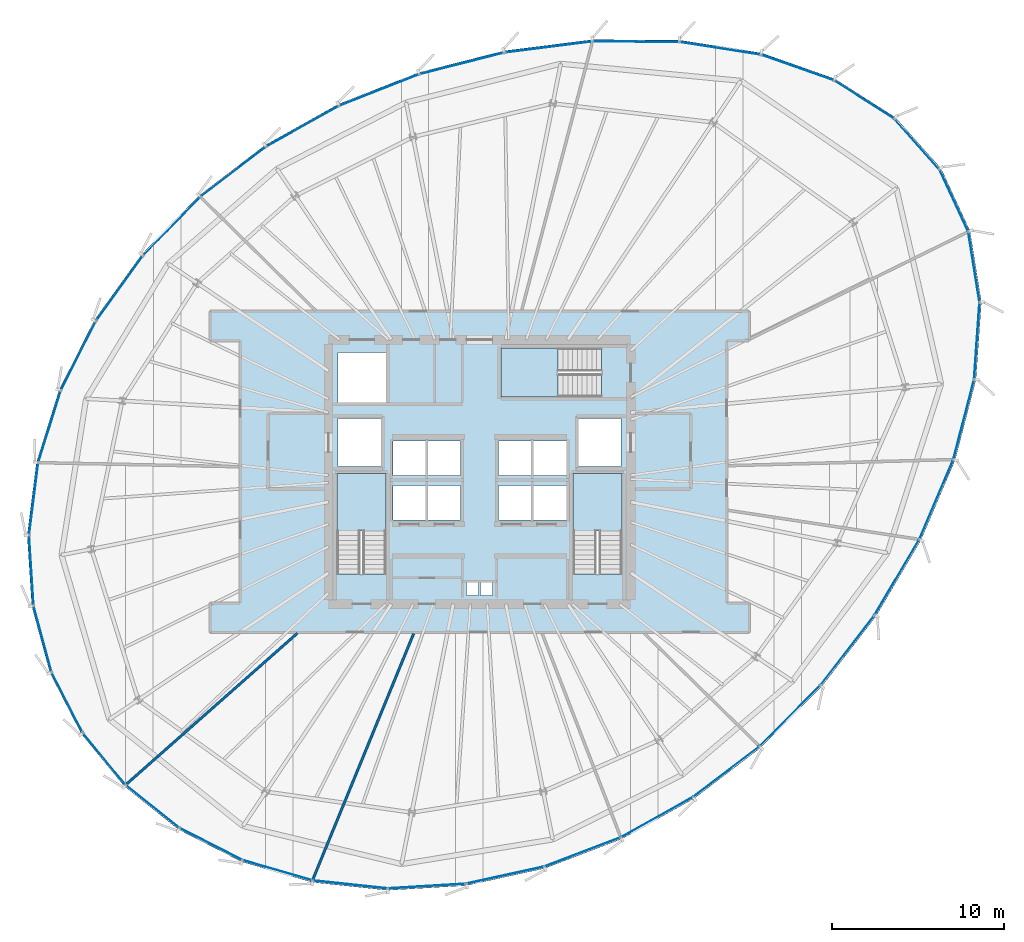
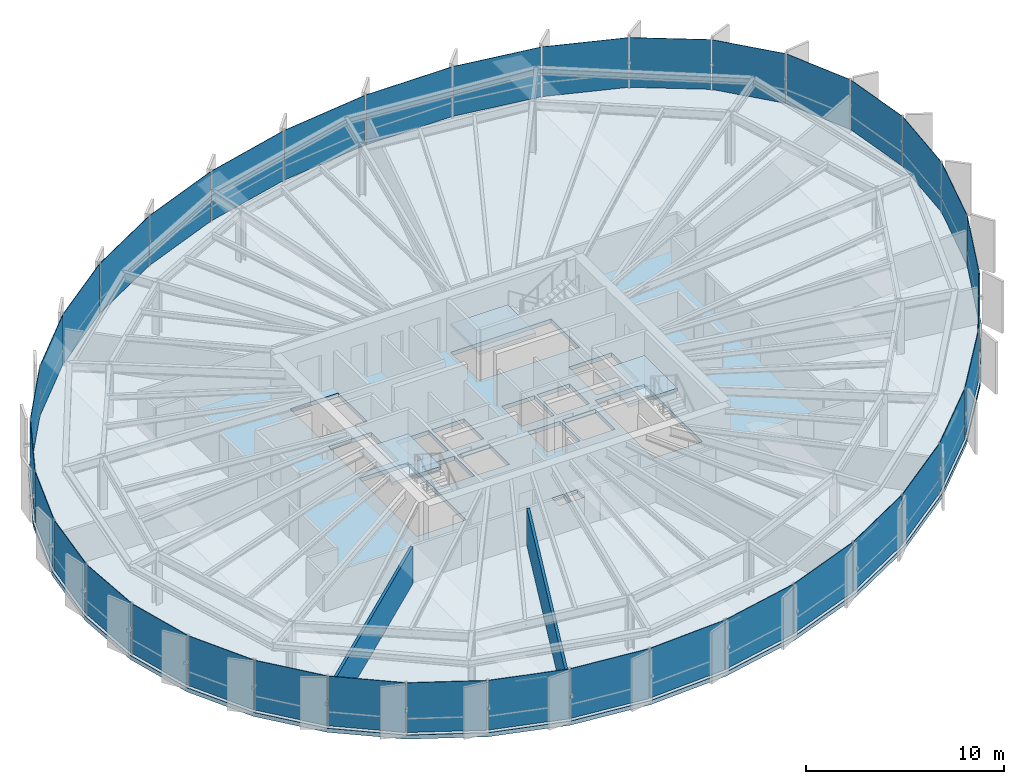
# One storey, part 28 of 35: 36 plates, 4 slabs, 2 walls, 9 elements without a shape of their own.
"""IFC4 building model written with IfcOpenShell, lengths in metres."""

from ifc_helpers import new_model, si_unit, direction, frame, frame_2d, origin, origin_2d, place, context, subcontext, project, spatial, polyline, rectangle, outline, extrude, source, transform, mapped, material, layer, layer_set, type_object, element, aggregate, save


model = new_model("IFC4")

# Units and contexts
model_context = context("Model", 3, precision=1e-05, world=origin(), true_north=direction((0.0, 1.0)))
body_context = subcontext(model_context, "Body", "Model", "MODEL_VIEW")
ifc_project = project(units=[si_unit("LENGTHUNIT", "METRE"), si_unit("AREAUNIT", "SQUARE_METRE"), si_unit("VOLUMEUNIT", "CUBIC_METRE"), si_unit("PLANEANGLEUNIT", "RADIAN"), si_unit("MASSUNIT", "GRAM", prefix="KILO"), si_unit("THERMODYNAMICTEMPERATUREUNIT", "KELVIN")], contexts=[model_context])

# Site, building, storey
site_placement = place(None, origin())
site = spatial("IfcSite", under=ifc_project, at=site_placement, CompositionType="ELEMENT")
building_placement = place(site_placement, origin())
building = spatial("IfcBuilding", under=site, at=building_placement, Name="Kethvar Cultural Tower", CompositionType="ELEMENT")
storey_placement = place(building_placement, frame((0.0, 0.0, 167.85009765625)))
storey = spatial("IfcBuildingStorey", under=building, at=storey_placement, Name="L43", CompositionType="ELEMENT", Elevation=167.85009765625)

# Stair, slab
ifc_material_1 = material(Name="Concrete C40/50", Category="concrete")
stair_type = type_object("IfcStairType", Name="ST-DOGLEG-135", PredefinedType="HALF_TURN_STAIR", material=ifc_material_1)
stair_1_placement = place(storey_placement, origin())
stair_1 = element("IfcStair", 1, at=stair_1_placement, inside=storey, type_object=stair_type, Name="L43 Core Exit Stair 1", PredefinedType="HALF_TURN_STAIR")
ifc_layer_1 = layer(ifc_material_1, 0.199951171875, Name="Concrete C40/50", Category="concrete")
ifc_layer_set_1 = layer_set([ifc_layer_1], Name="Concrete C40/50 (200 mm)")
slab_type_1 = type_object("IfcSlabType", Name="SL-STAIR-LANDING-200", PredefinedType="LANDING", material=ifc_layer_set_1)
slab_1_placement = place(storey_placement, frame((0.0, 0.0, 1.574951171875)))
slab_1 = element("IfcSlab", 2, at=slab_1_placement, type_object=slab_type_1, Name="ST-01 landing 1", PredefinedType="LANDING", context=body_context, shape_type="SweptSolid", body=[
    extrude(outline(polyline([(41.35009765625, 24.3701171875), (41.35009765625, 27.699951171875), (38.489990234375, 27.699951171875), (38.489990234375, 24.3701171875), (41.35009765625, 24.3701171875)])), origin(), (0.0, 0.0, 1.0), 0.199951171875),
])
aggregate(stair_1, [slab_1])

stair_2_placement = place(storey_placement, origin())
stair_2 = element("IfcStair", 3, at=stair_2_placement, inside=storey, type_object=stair_type, Name="L43 Core Exit Stair 2", PredefinedType="HALF_TURN_STAIR")
slab_2_placement = place(storey_placement, frame((0.0, 0.0, 1.574951171875)))
slab_2 = element("IfcSlab", 4, at=slab_2_placement, type_object=slab_type_1, Name="ST-02 landing 1", PredefinedType="LANDING", context=body_context, shape_type="SweptSolid", body=[
    extrude(outline(polyline([(55.110107421875, 24.3701171875), (55.110107421875, 27.699951171875), (52.25, 27.699951171875), (52.25, 24.3701171875), (55.110107421875, 24.3701171875)])), origin(), (0.0, 0.0, 1.0), 0.199951171875),
])
aggregate(stair_2, [slab_2])

stair_3_placement = place(storey_placement, origin())
stair_3 = element("IfcStair", 5, at=stair_3_placement, inside=storey, type_object=stair_type, Name="L43 Core Exit Stair 3", PredefinedType="HALF_TURN_STAIR")
slab_3_placement = place(storey_placement, frame((0.0, 0.0, 1.574951171875)))
slab_3 = element("IfcSlab", 6, at=slab_3_placement, type_object=slab_type_1, Name="ST-03 landing 1", PredefinedType="LANDING", context=body_context, shape_type="SweptSolid", body=[
    extrude(outline(polyline([(51.3798828125, 35.010009765625), (48.050048828125, 35.010009765625), (48.050048828125, 32.14990234375), (51.3798828125, 32.14990234375), (51.3798828125, 35.010009765625)])), origin(), (0.0, 0.0, 1.0), 0.199951171875),
])
aggregate(stair_3, [slab_3])

# Slab
ifc_layer_2 = layer(ifc_material_1, 0.25, Name="Concrete C40/50", Category="concrete")
ifc_layer_set_2 = layer_set([ifc_layer_2], Name="Concrete C40/50 (250 mm)")
slab_type_2 = type_object("IfcSlabType", Name="SL-TOW-250", PredefinedType="FLOOR", material=ifc_layer_set_2)
slab_4_placement = place(storey_placement, frame((0.0, 0.0, -0.25)))
element("IfcSlab", 7, at=slab_4_placement, inside=storey, type_object=slab_type_2, Name="L43 Structural Floor Slab", PredefinedType="FLOOR", context=body_context, shape_type="SweptSolid", body=[
    extrude(outline(polyline([(73.690673828125, 45.4638671875), (71.029296875, 48.44580078125), (67.48583984375, 50.704833984375), (63.219970703125, 52.2060546875), (58.436279296875, 52.953369140625), (53.36376953125, 52.97900390625), (48.231201171875, 52.3310546875), (43.24462890625, 51.062255859375), (38.56689453125, 49.218505859375), (34.300048828125, 46.82958984375), (30.458984375, 43.892578125), (27.114501953125, 40.466796875), (24.3681640625, 36.656005859375), (22.30322265625, 32.576171875), (20.98291015625, 28.351318359375), (20.447021484375, 24.109619140625), (20.711669921875, 19.97998046875), (21.76904296875, 16.087890625), (23.5869140625, 12.552001953125), (26.110107421875, 9.47900390625), (29.26220703125, 6.962890625), (32.947021484375, 5.080078125), (37.052490234375, 3.88720703125), (41.45458984375, 3.421142578125), (46.018798828125, 3.69580078125), (50.60693359375, 4.702880859375), (55.0791015625, 6.411865234375), (59.300048828125, 8.7705078125), (63.187255859375, 11.73779296875), (66.737060546875, 15.298583984375), (69.882080078125, 19.37109375), (72.514892578125, 23.82421875), (74.506103515625, 28.489501953125), (75.719970703125, 33.176513671875), (76.036376953125, 37.68798828125), (75.37060546875, 41.8369140625), (73.690673828125, 45.4638671875)]), holes=[polyline([(38.489990234375, 21.85009765625), (38.489990234375, 27.699951171875), (41.35009765625, 27.699951171875), (41.35009765625, 21.85009765625), (38.489990234375, 21.85009765625)]), polyline([(52.25, 21.85009765625), (52.25, 27.699951171875), (55.110107421875, 27.699951171875), (55.110107421875, 21.85009765625), (52.25, 21.85009765625)]), polyline([(53.89990234375, 32.14990234375), (48.050048828125, 32.14990234375), (48.050048828125, 35.010009765625), (53.89990234375, 35.010009765625), (53.89990234375, 32.14990234375)]), polyline([(41.75, 27.0), (43.64990234375, 27.0), (43.64990234375, 25.0), (41.75, 25.0), (41.75, 27.0)]), polyline([(43.800048828125, 27.0), (45.699951171875, 27.0), (45.699951171875, 25.0), (43.800048828125, 25.0), (43.800048828125, 27.0)]), polyline([(47.89990234375, 27.0), (49.800048828125, 27.0), (49.800048828125, 25.0), (47.89990234375, 25.0), (47.89990234375, 27.0)]), polyline([(49.949951171875, 27.0), (51.85009765625, 27.0), (51.85009765625, 25.0), (49.949951171875, 25.0), (49.949951171875, 27.0)]), polyline([(41.75, 29.60009765625), (43.64990234375, 29.60009765625), (43.64990234375, 27.60009765625), (41.75, 27.60009765625), (41.75, 29.60009765625)]), polyline([(43.800048828125, 29.60009765625), (45.699951171875, 29.60009765625), (45.699951171875, 27.60009765625), (43.800048828125, 27.60009765625), (43.800048828125, 29.60009765625)]), polyline([(47.89990234375, 29.60009765625), (49.800048828125, 29.60009765625), (49.800048828125, 27.60009765625), (47.89990234375, 27.60009765625), (47.89990234375, 29.60009765625)]), polyline([(49.949951171875, 29.60009765625), (51.85009765625, 29.60009765625), (51.85009765625, 27.60009765625), (49.949951171875, 27.60009765625), (49.949951171875, 29.60009765625)]), polyline([(38.550048828125, 30.89990234375), (41.050048828125, 30.89990234375), (41.050048828125, 28.10009765625), (38.550048828125, 28.10009765625), (38.550048828125, 30.89990234375)]), polyline([(52.550048828125, 30.89990234375), (55.050048828125, 30.89990234375), (55.050048828125, 28.10009765625), (52.550048828125, 28.10009765625), (52.550048828125, 30.89990234375)]), polyline([(38.550048828125, 34.75), (41.35009765625, 34.75), (41.35009765625, 31.85009765625), (38.550048828125, 31.85009765625), (38.550048828125, 34.75)]), polyline([(46.050048828125, 21.35009765625), (46.75, 21.35009765625), (46.75, 20.60009765625), (46.050048828125, 20.60009765625), (46.050048828125, 21.35009765625)]), polyline([(46.85009765625, 21.35009765625), (47.550048828125, 21.35009765625), (47.550048828125, 20.60009765625), (46.85009765625, 20.60009765625), (46.85009765625, 21.35009765625)])]), origin(), (0.0, 0.0, 1.0), 0.25),
])

# Curtain wall, plates
ifc_material_2 = material(Name="Aluminium 6063-T6", Category="aluminium")
ifc_layer_3 = layer(ifc_material_2, 0.179931640625, Name="Aluminium 6063-T6", Category="aluminium")
ifc_layer_set_3 = layer_set([ifc_layer_3], Name="Aluminium 6063-T6 (180 mm)")
curtain_wall_type = type_object("IfcCurtainWallType", Name="CW-SYS-04-Z34", PredefinedType="NOTDEFINED", material=ifc_layer_set_3)
curtain_wall_1_placement = place(storey_placement, origin())
curtain_wall_1 = element("IfcCurtainWall", 8, at=curtain_wall_1_placement, inside=storey, type_object=curtain_wall_type, Name="L43 Curtain Wall Run 01", PredefinedType="NOTDEFINED")
ifc_material_3 = material(Name="Insulated Low-E Solar Glass", Category="glass")
ifc_layer_4 = layer(ifc_material_3, 0.030029296875, Name="Insulated Low-E Solar Glass", Category="glass")
ifc_layer_set_4 = layer_set([ifc_layer_4], Name="Insulated Low-E Solar Glass (30 mm)")
plate_type = type_object("IfcPlateType", Name="CW-SYS-04-Z34-PNL", PredefinedType="CURTAIN_PANEL", material=ifc_layer_set_4)
shared_shape_1 = source(origin(), body_context, "Body", "SweptSolid", [
    extrude(rectangle(XDim=3.910400390625, YDim=0.030029296875, at=origin_2d()), origin(), (0.0, 0.0, 1.0), 3.06005859375),
])
plate_1_placement = place(storey_placement, frame((72.27783203125, 46.881591796875, 0.08984375), z_axis=(0.0, 0.0, 1.0), x_axis=(-0.665842601615, 0.746092239522, 0.0)))
plate_1 = element("IfcPlate", 9, at=plate_1_placement, type_object=plate_type, Name="CW-L43-R01 Vision Glazing Panel 1", PredefinedType="CURTAIN_PANEL", context=body_context, shape_type="MappedRepresentation", body=[
    mapped(shared_shape_1, transform((0.0, 0.0, 0.0), scale=1.0)),
])
shared_shape_2 = source(origin(), body_context, "Body", "SweptSolid", [
    extrude(rectangle(XDim=4.11572265625, YDim=0.030029296875, at=origin_2d()), origin(), (0.0, 0.0, 1.0), 3.06005859375),
])
plate_2_placement = place(storey_placement, frame((69.198486328125, 49.482666015625, 0.08984375), z_axis=(0.0, 0.0, 1.0), x_axis=(-0.843231988688, 0.537549823972, 0.0)))
plate_2 = element("IfcPlate", 10, at=plate_2_placement, type_object=plate_type, Name="CW-L43-R01 Vision Glazing Panel 2", PredefinedType="CURTAIN_PANEL", context=body_context, shape_type="MappedRepresentation", body=[
    mapped(shared_shape_2, transform((0.0, 0.0, 0.0), scale=1.0)),
])

# Curtain wall, plate
curtain_wall_2_placement = place(storey_placement, origin())
curtain_wall_2 = element("IfcCurtainWall", 11, at=curtain_wall_2_placement, inside=storey, type_object=curtain_wall_type, Name="L43 Curtain Wall Run 06", PredefinedType="NOTDEFINED")
plate_3_placement = place(storey_placement, frame((75.5947265625, 39.7451171875, 0.08984375), z_axis=(0.0, 0.0, 1.0), x_axis=(-0.158433799036, 0.987369602187, 0.0)))
plate_3 = element("IfcPlate", 12, at=plate_3_placement, type_object=plate_type, Name="CW-L43-R06 Vision Glazing Panel 5", PredefinedType="CURTAIN_PANEL", context=body_context, shape_type="MappedRepresentation", body=[
    mapped(shared_shape_2, transform((0.0, 0.0, 0.0), scale=1.0)),
])

# Plate
shared_shape_3 = source(origin(), body_context, "Body", "SweptSolid", [
    extrude(rectangle(XDim=4.43603515625, YDim=0.030029296875, at=origin_2d()), origin(), (0.0, 0.0, 1.0), 3.06005859375),
])
plate_4_placement = place(storey_placement, frame((65.31640625, 51.351806640625, 0.08984375), z_axis=(0.0, 0.0, 1.0), x_axis=(-0.943286410924, 0.331980040013, 0.0)))
plate_4 = element("IfcPlate", 13, at=plate_4_placement, type_object=plate_type, Name="CW-L43-R01 Vision Glazing Panel 3", PredefinedType="CURTAIN_PANEL", context=body_context, shape_type="MappedRepresentation", body=[
    mapped(shared_shape_3, transform((0.0, 0.0, 0.0), scale=1.0)),
])

plate_5_placement = place(storey_placement, frame((75.768310546875, 35.43994140625, 0.08984375), z_axis=(0.0, 0.0, 1.0), x_axis=(0.069965401539, 0.997549418619, 0.0)))
plate_5 = element("IfcPlate", 14, at=plate_5_placement, type_object=plate_type, Name="CW-L43-R06 Vision Glazing Panel 4", PredefinedType="CURTAIN_PANEL", context=body_context, shape_type="MappedRepresentation", body=[
    mapped(shared_shape_3, transform((0.0, 0.0, 0.0), scale=1.0)),
])

shared_shape_4 = source(origin(), body_context, "Body", "SweptSolid", [
    extrude(rectangle(XDim=4.75537109375, YDim=0.030029296875, at=origin_2d()), origin(), (0.0, 0.0, 1.0), 3.06005859375),
])
plate_6_placement = place(storey_placement, frame((60.81103515625, 52.47119140625, 0.08984375), z_axis=(0.0, 0.0, 1.0), x_axis=(-0.988016503727, 0.154348269713, 0.0)))
plate_6 = element("IfcPlate", 15, at=plate_6_placement, type_object=plate_type, Name="CW-L43-R01 Vision Glazing Panel 4", PredefinedType="CURTAIN_PANEL", context=body_context, shape_type="MappedRepresentation", body=[
    mapped(shared_shape_4, transform((0.0, 0.0, 0.0), scale=1.0)),
])

plate_7_placement = place(storey_placement, frame((75.006591796875, 30.860595703125, 0.08984375), z_axis=(0.0, 0.0, 1.0), x_axis=(0.250717936073, 0.968060182288, 0.0)))
plate_7 = element("IfcPlate", 16, at=plate_7_placement, type_object=plate_type, Name="CW-L43-R06 Vision Glazing Panel 3", PredefinedType="CURTAIN_PANEL", context=body_context, shape_type="MappedRepresentation", body=[
    mapped(shared_shape_4, transform((0.0, 0.0, 0.0), scale=1.0)),
])

shared_shape_5 = source(origin(), body_context, "Body", "SweptSolid", [
    extrude(rectangle(XDim=4.986083984375, YDim=0.030029296875, at=origin_2d()), origin(), (0.0, 0.0, 1.0), 3.06005859375),
])
plate_8_placement = place(storey_placement, frame((55.8994140625, 52.856201171875, 0.08984375), z_axis=(0.0, 0.0, 1.0), x_axis=(-0.999987279051, 0.00504398015, 0.0)))
plate_8 = element("IfcPlate", 17, at=plate_8_placement, type_object=plate_type, Name="CW-L43-R01 Vision Glazing Panel 5", PredefinedType="CURTAIN_PANEL", context=body_context, shape_type="MappedRepresentation", body=[
    mapped(shared_shape_5, transform((0.0, 0.0, 0.0), scale=1.0)),
])

plate_9_placement = place(storey_placement, frame((73.4091796875, 26.199951171875, 0.08984375), z_axis=(0.0, 0.0, 1.0), x_axis=(0.392513702422, 0.919746157051, 0.0)))
plate_9 = element("IfcPlate", 18, at=plate_9_placement, type_object=plate_type, Name="CW-L43-R06 Vision Glazing Panel 2", PredefinedType="CURTAIN_PANEL", context=body_context, shape_type="MappedRepresentation", body=[
    mapped(shared_shape_5, transform((0.0, 0.0, 0.0), scale=1.0)),
])

shared_shape_6 = source(origin(), body_context, "Body", "SweptSolid", [
    extrude(rectangle(XDim=5.0869140625, YDim=0.030029296875, at=origin_2d()), origin(), (0.0, 0.0, 1.0), 3.06005859375),
])
plate_10_placement = place(storey_placement, frame((50.811279296875, 52.5458984375, 0.08984375), z_axis=(0.0, 0.0, 1.0), x_axis=(-0.992125634925, -0.125246654747, 0.0)))
plate_10 = element("IfcPlate", 19, at=plate_10_placement, type_object=plate_type, Name="CW-L43-R01 Vision Glazing Panel 6", PredefinedType="CURTAIN_PANEL", context=body_context, shape_type="MappedRepresentation", body=[
    mapped(shared_shape_6, transform((0.0, 0.0, 0.0), scale=1.0)),
])

aggregate(curtain_wall_1, [plate_1, plate_2, plate_4, plate_6, plate_8, plate_10])

# Curtain wall, plate
curtain_wall_3_placement = place(storey_placement, origin())
curtain_wall_3 = element("IfcCurtainWall", 20, at=curtain_wall_3_placement, inside=storey, type_object=curtain_wall_type, Name="L43 Curtain Wall Run 02", PredefinedType="NOTDEFINED")
shared_shape_7 = source(origin(), body_context, "Body", "SweptSolid", [
    extrude(rectangle(XDim=5.05908203125, YDim=0.030029296875, at=origin_2d()), origin(), (0.0, 0.0, 1.0), 3.06005859375),
])
plate_11_placement = place(storey_placement, frame((45.76513671875, 51.590087890625, 0.08984375), z_axis=(0.0, 0.0, 1.0), x_axis=(-0.969119109097, -0.246593090705, 0.0)))
plate_11 = element("IfcPlate", 21, at=plate_11_placement, type_object=plate_type, Name="CW-L43-R02 Vision Glazing Panel 1", PredefinedType="CURTAIN_PANEL", context=body_context, shape_type="MappedRepresentation", body=[
    mapped(shared_shape_7, transform((0.0, 0.0, 0.0), scale=1.0)),
])

curtain_wall_4_placement = place(storey_placement, origin())
curtain_wall_4 = element("IfcCurtainWall", 22, at=curtain_wall_4_placement, inside=storey, type_object=curtain_wall_type, Name="L43 Curtain Wall Run 05", PredefinedType="NOTDEFINED")
plate_12_placement = place(storey_placement, frame((68.222412109375, 17.402099609375, 0.08984375), z_axis=(0.0, 0.0, 1.0), x_axis=(0.611195559608, 0.791479619394, 0.0)))
plate_12 = element("IfcPlate", 23, at=plate_12_placement, type_object=plate_type, Name="CW-L43-R05 Vision Glazing Panel 6", PredefinedType="CURTAIN_PANEL", context=body_context, shape_type="MappedRepresentation", body=[
    mapped(shared_shape_7, transform((0.0, 0.0, 0.0), scale=1.0)),
])

# Plate
shared_shape_8 = source(origin(), body_context, "Body", "SweptSolid", [
    extrude(rectangle(XDim=4.94140625, YDim=0.030029296875, at=origin_2d()), origin(), (0.0, 0.0, 1.0), 3.06005859375),
])
plate_13_placement = place(storey_placement, frame((40.9462890625, 50.0380859375, 0.08984375), z_axis=(0.0, 0.0, 1.0), x_axis=(-0.930340787739, -0.366696084884, 0.0)))
plate_13 = element("IfcPlate", 24, at=plate_13_placement, type_object=plate_type, Name="CW-L43-R02 Vision Glazing Panel 2", PredefinedType="CURTAIN_PANEL", context=body_context, shape_type="MappedRepresentation", body=[
    mapped(shared_shape_8, transform((0.0, 0.0, 0.0), scale=1.0)),
])

shared_shape_9 = source(origin(), body_context, "Body", "SweptSolid", [
    extrude(rectangle(XDim=4.803955078125, YDim=0.030029296875, at=origin_2d()), origin(), (0.0, 0.0, 1.0), 3.06005859375),
])
plate_14_placement = place(storey_placement, frame((36.4873046875, 47.927978515625, 0.08984375), z_axis=(0.0, 0.0, 1.0), x_axis=(-0.872538643998, -0.488545099996, 0.0)))
plate_14 = element("IfcPlate", 25, at=plate_14_placement, type_object=plate_type, Name="CW-L43-R02 Vision Glazing Panel 3", PredefinedType="CURTAIN_PANEL", context=body_context, shape_type="MappedRepresentation", body=[
    mapped(shared_shape_9, transform((0.0, 0.0, 0.0), scale=1.0)),
])

plate_15_placement = place(storey_placement, frame((61.177001953125, 10.341552734375, 0.08984375), z_axis=(0.0, 0.0, 1.0), x_axis=(0.794880817402, 0.606765594053, 0.0)))
plate_15 = element("IfcPlate", 26, at=plate_15_placement, type_object=plate_type, Name="CW-L43-R05 Vision Glazing Panel 4", PredefinedType="CURTAIN_PANEL", context=body_context, shape_type="MappedRepresentation", body=[
    mapped(shared_shape_9, transform((0.0, 0.0, 0.0), scale=1.0)),
])

shared_shape_10 = source(origin(), body_context, "Body", "SweptSolid", [
    extrude(rectangle(XDim=4.748779296875, YDim=0.030029296875, at=origin_2d()), origin(), (0.0, 0.0, 1.0), 3.06005859375),
])
plate_16_placement = place(storey_placement, frame((32.4462890625, 45.273681640625, 0.08984375), z_axis=(0.0, 0.0, 1.0), x_axis=(-0.794393418635, -0.607403569655, 0.0)))
plate_16 = element("IfcPlate", 27, at=plate_16_placement, type_object=plate_type, Name="CW-L43-R02 Vision Glazing Panel 4", PredefinedType="CURTAIN_PANEL", context=body_context, shape_type="MappedRepresentation", body=[
    mapped(shared_shape_10, transform((0.0, 0.0, 0.0), scale=1.0)),
])

plate_17_placement = place(storey_placement, frame((57.135986328125, 7.68701171875, 0.08984375), z_axis=(0.0, 0.0, 1.0), x_axis=(0.872939106253, 0.487829188113, 0.0)))
plate_17 = element("IfcPlate", 28, at=plate_17_placement, type_object=plate_type, Name="CW-L43-R05 Vision Glazing Panel 3", PredefinedType="CURTAIN_PANEL", context=body_context, shape_type="MappedRepresentation", body=[
    mapped(shared_shape_10, transform((0.0, 0.0, 0.0), scale=1.0)),
])

shared_shape_11 = source(origin(), body_context, "Body", "SweptSolid", [
    extrude(rectangle(XDim=4.701416015625, YDim=0.030029296875, at=origin_2d()), origin(), (0.0, 0.0, 1.0), 3.06005859375),
])
plate_18_placement = place(storey_placement, frame((28.865478515625, 42.102783203125, 0.08984375), z_axis=(0.0, 0.0, 1.0), x_axis=(-0.6985526757, -0.715558634406, 0.0)))
plate_18 = element("IfcPlate", 29, at=plate_18_placement, type_object=plate_type, Name="CW-L43-R02 Vision Glazing Panel 5", PredefinedType="CURTAIN_PANEL", context=body_context, shape_type="MappedRepresentation", body=[
    mapped(shared_shape_11, transform((0.0, 0.0, 0.0), scale=1.0)),
])

shared_shape_12 = source(origin(), body_context, "Body", "SweptSolid", [
    extrude(rectangle(XDim=4.61083984375, YDim=0.030029296875, at=origin_2d()), origin(), (0.0, 0.0, 1.0), 3.06005859375),
])
plate_19_placement = place(storey_placement, frame((25.83056640625, 38.4970703125, 0.08984375), z_axis=(0.0, 0.0, 1.0), x_axis=(-0.584688683882, -0.811257753702, 0.0)))
plate_19 = element("IfcPlate", 30, at=plate_19_placement, type_object=plate_type, Name="CW-L43-R02 Vision Glazing Panel 6", PredefinedType="CURTAIN_PANEL", context=body_context, shape_type="MappedRepresentation", body=[
    mapped(shared_shape_12, transform((0.0, 0.0, 0.0), scale=1.0)),
])

aggregate(curtain_wall_3, [plate_11, plate_13, plate_14, plate_16, plate_18, plate_19])

plate_20_placement = place(storey_placement, frame((48.289306640625, 4.306884765625, 0.08984375), z_axis=(0.0, 0.0, 1.0), x_axis=(0.9767471756, 0.214394391152, 0.0)))
plate_20 = element("IfcPlate", 31, at=plate_20_placement, type_object=plate_type, Name="CW-L43-R05 Vision Glazing Panel 1", PredefinedType="CURTAIN_PANEL", context=body_context, shape_type="MappedRepresentation", body=[
    mapped(shared_shape_12, transform((0.0, 0.0, 0.0), scale=1.0)),
])

# Curtain wall, plate
curtain_wall_5_placement = place(storey_placement, origin())
curtain_wall_5 = element("IfcCurtainWall", 32, at=curtain_wall_5_placement, inside=storey, type_object=curtain_wall_type, Name="L43 Curtain Wall Run 03", PredefinedType="NOTDEFINED")
shared_shape_13 = source(origin(), body_context, "Body", "SweptSolid", [
    extrude(rectangle(XDim=4.486083984375, YDim=0.030029296875, at=origin_2d()), origin(), (0.0, 0.0, 1.0), 3.06005859375),
])
plate_21_placement = place(storey_placement, frame((23.433837890625, 34.56640625, 0.08984375), z_axis=(0.0, 0.0, 1.0), x_axis=(-0.451562864373, -0.892239306195, 0.0)))
plate_21 = element("IfcPlate", 33, at=plate_21_placement, type_object=plate_type, Name="CW-L43-R03 Vision Glazing Panel 1", PredefinedType="CURTAIN_PANEL", context=body_context, shape_type="MappedRepresentation", body=[
    mapped(shared_shape_13, transform((0.0, 0.0, 0.0), scale=1.0)),
])

curtain_wall_6_placement = place(storey_placement, origin())
curtain_wall_6 = element("IfcCurtainWall", 34, at=curtain_wall_6_placement, inside=storey, type_object=curtain_wall_type, Name="L43 Curtain Wall Run 04", PredefinedType="NOTDEFINED")
plate_22_placement = place(storey_placement, frame((43.72998046875, 3.66845703125, 0.08984375), z_axis=(0.0, 0.0, 1.0), x_axis=(0.998193989552, 0.060072949169, 0.0)))
plate_22 = element("IfcPlate", 35, at=plate_22_placement, type_object=plate_type, Name="CW-L43-R04 Vision Glazing Panel 6", PredefinedType="CURTAIN_PANEL", context=body_context, shape_type="MappedRepresentation", body=[
    mapped(shared_shape_13, transform((0.0, 0.0, 0.0), scale=1.0)),
])

# Plate
shared_shape_14 = source(origin(), body_context, "Body", "SweptSolid", [
    extrude(rectangle(XDim=4.340087890625, YDim=0.030029296875, at=origin_2d()), origin(), (0.0, 0.0, 1.0), 3.06005859375),
])
plate_23_placement = place(storey_placement, frame((21.748046875, 30.430908203125, 0.08984375), z_axis=(0.0, 0.0, 1.0), x_axis=(-0.2982912415, -0.954474900269, 0.0)))
plate_23 = element("IfcPlate", 36, at=plate_23_placement, type_object=plate_type, Name="CW-L43-R03 Vision Glazing Panel 2", PredefinedType="CURTAIN_PANEL", context=body_context, shape_type="MappedRepresentation", body=[
    mapped(shared_shape_14, transform((0.0, 0.0, 0.0), scale=1.0)),
])

plate_24_placement = place(storey_placement, frame((39.26513671875, 3.763671875, 0.08984375), z_axis=(0.0, 0.0, 1.0), x_axis=(0.994441330025, -0.105292170359, 0.0)))
plate_24 = element("IfcPlate", 37, at=plate_24_placement, type_object=plate_type, Name="CW-L43-R04 Vision Glazing Panel 5", PredefinedType="CURTAIN_PANEL", context=body_context, shape_type="MappedRepresentation", body=[
    mapped(shared_shape_14, transform((0.0, 0.0, 0.0), scale=1.0)),
])

shared_shape_15 = source(origin(), body_context, "Body", "SweptSolid", [
    extrude(rectangle(XDim=4.189208984375, YDim=0.030029296875, at=origin_2d()), origin(), (0.0, 0.0, 1.0), 3.06005859375),
])
plate_25_placement = place(storey_placement, frame((20.823974609375, 26.216552734375, 0.08984375), z_axis=(0.0, 0.0, 1.0), x_axis=(-0.125367864824, -0.992110325755, 0.0)))
plate_25 = element("IfcPlate", 38, at=plate_25_placement, type_object=plate_type, Name="CW-L43-R03 Vision Glazing Panel 3", PredefinedType="CURTAIN_PANEL", context=body_context, shape_type="MappedRepresentation", body=[
    mapped(shared_shape_15, transform((0.0, 0.0, 0.0), scale=1.0)),
])

shared_shape_16 = source(origin(), body_context, "Body", "SweptSolid", [
    extrude(rectangle(XDim=4.0517578125, YDim=0.030029296875, at=origin_2d()), origin(), (0.0, 0.0, 1.0), 3.06005859375),
])
plate_26_placement = place(storey_placement, frame((20.68896484375, 22.0517578125, 0.08984375), z_axis=(0.0, 0.0, 1.0), x_axis=(0.063974956995, -0.997951504271, 0.0)))
plate_26 = element("IfcPlate", 39, at=plate_26_placement, type_object=plate_type, Name="CW-L43-R03 Vision Glazing Panel 4", PredefinedType="CURTAIN_PANEL", context=body_context, shape_type="MappedRepresentation", body=[
    mapped(shared_shape_16, transform((0.0, 0.0, 0.0), scale=1.0)),
])

plate_27_placement = place(storey_placement, frame((31.154541015625, 6.119384765625, 0.08984375), z_axis=(0.0, 0.0, 1.0), x_axis=(0.890467090029, -0.455047647587, 0.0)))
plate_27 = element("IfcPlate", 40, at=plate_27_placement, type_object=plate_type, Name="CW-L43-R04 Vision Glazing Panel 3", PredefinedType="CURTAIN_PANEL", context=body_context, shape_type="MappedRepresentation", body=[
    mapped(shared_shape_16, transform((0.0, 0.0, 0.0), scale=1.0)),
])

shared_shape_17 = source(origin(), body_context, "Body", "SweptSolid", [
    extrude(rectangle(XDim=3.94677734375, YDim=0.030029296875, at=origin_2d()), origin(), (0.0, 0.0, 1.0), 3.06005859375),
])
plate_28_placement = place(storey_placement, frame((21.346435546875, 18.062744140625, 0.08984375), z_axis=(0.0, 0.0, 1.0), x_axis=(0.262189178641, -0.965016494472, 0.0)))
plate_28 = element("IfcPlate", 41, at=plate_28_placement, type_object=plate_type, Name="CW-L43-R03 Vision Glazing Panel 5", PredefinedType="CURTAIN_PANEL", context=body_context, shape_type="MappedRepresentation", body=[
    mapped(shared_shape_17, transform((0.0, 0.0, 0.0), scale=1.0)),
])

shared_shape_18 = source(origin(), body_context, "Body", "SweptSolid", [
    extrude(rectangle(XDim=3.8896484375, YDim=0.030029296875, at=origin_2d()), origin(), (0.0, 0.0, 1.0), 3.06005859375),
])
plate_29_placement = place(storey_placement, frame((22.77587890625, 14.3701171875, 0.08984375), z_axis=(0.0, 0.0, 1.0), x_axis=(0.457222108556, -0.889352541711, 0.0)))
plate_29 = element("IfcPlate", 42, at=plate_29_placement, type_object=plate_type, Name="CW-L43-R03 Vision Glazing Panel 6", PredefinedType="CURTAIN_PANEL", context=body_context, shape_type="MappedRepresentation", body=[
    mapped(shared_shape_18, transform((0.0, 0.0, 0.0), scale=1.0)),
])

aggregate(curtain_wall_5, [plate_21, plate_23, plate_25, plate_26, plate_28, plate_29])

plate_30_placement = place(storey_placement, frame((24.93359375, 11.085205078125, 0.08984375), z_axis=(0.0, 0.0, 1.0), x_axis=(0.634622613055, -0.772822191063, 0.0)))
plate_30 = element("IfcPlate", 43, at=plate_30_placement, type_object=plate_type, Name="CW-L43-R04 Vision Glazing Panel 1", PredefinedType="CURTAIN_PANEL", context=body_context, shape_type="MappedRepresentation", body=[
    mapped(shared_shape_18, transform((0.0, 0.0, 0.0), scale=1.0)),
])

shared_shape_19 = source(origin(), body_context, "Body", "SweptSolid", [
    extrude(rectangle(XDim=3.946533203125, YDim=0.030029296875, at=origin_2d()), origin(), (0.0, 0.0, 1.0), 3.06005859375),
])
plate_31_placement = place(storey_placement, frame((27.7548828125, 8.306884765625, 0.08984375), z_axis=(0.0, 0.0, 1.0), x_axis=(0.781520472419, -0.623879596709, 0.0)))
plate_31 = element("IfcPlate", 44, at=plate_31_placement, type_object=plate_type, Name="CW-L43-R04 Vision Glazing Panel 2", PredefinedType="CURTAIN_PANEL", context=body_context, shape_type="MappedRepresentation", body=[
    mapped(shared_shape_19, transform((0.0, 0.0, 0.0), scale=1.0)),
])

shared_shape_20 = source(origin(), body_context, "Body", "SweptSolid", [
    extrude(rectangle(XDim=4.18896484375, YDim=0.030029296875, at=origin_2d()), origin(), (0.0, 0.0, 1.0), 3.06005859375),
])
plate_32_placement = place(storey_placement, frame((35.030517578125, 4.58935546875, 0.08984375), z_axis=(0.0, 0.0, 1.0), x_axis=(0.960298554844, -0.27897434571, 0.0)))
plate_32 = element("IfcPlate", 45, at=plate_32_placement, type_object=plate_type, Name="CW-L43-R04 Vision Glazing Panel 4", PredefinedType="CURTAIN_PANEL", context=body_context, shape_type="MappedRepresentation", body=[
    mapped(shared_shape_20, transform((0.0, 0.0, 0.0), scale=1.0)),
])

aggregate(curtain_wall_6, [plate_30, plate_31, plate_27, plate_32, plate_24, plate_22])

shared_shape_21 = source(origin(), body_context, "Body", "SweptSolid", [
    extrude(rectangle(XDim=4.701171875, YDim=0.030029296875, at=origin_2d()), origin(), (0.0, 0.0, 1.0), 3.06005859375),
])
plate_33_placement = place(storey_placement, frame((52.8037109375, 5.66015625, 0.08984375), z_axis=(0.0, 0.0, 1.0), x_axis=(0.934135968325, 0.356917347128, 0.0)))
plate_33 = element("IfcPlate", 46, at=plate_33_placement, type_object=plate_type, Name="CW-L43-R05 Vision Glazing Panel 2", PredefinedType="CURTAIN_PANEL", context=body_context, shape_type="MappedRepresentation", body=[
    mapped(shared_shape_21, transform((0.0, 0.0, 0.0), scale=1.0)),
])

shared_shape_22 = source(origin(), body_context, "Body", "SweptSolid", [
    extrude(rectangle(XDim=4.941650390625, YDim=0.030029296875, at=origin_2d()), origin(), (0.0, 0.0, 1.0), 3.06005859375),
])
plate_34_placement = place(storey_placement, frame((64.88427734375, 13.595947265625, 0.08984375), z_axis=(0.0, 0.0, 1.0), x_axis=(0.706007549155, 0.708204307058, 0.0)))
plate_34 = element("IfcPlate", 47, at=plate_34_placement, type_object=plate_type, Name="CW-L43-R05 Vision Glazing Panel 5", PredefinedType="CURTAIN_PANEL", context=body_context, shape_type="MappedRepresentation", body=[
    mapped(shared_shape_22, transform((0.0, 0.0, 0.0), scale=1.0)),
])

aggregate(curtain_wall_4, [plate_20, plate_33, plate_17, plate_15, plate_34, plate_12])

shared_shape_23 = source(origin(), body_context, "Body", "SweptSolid", [
    extrude(rectangle(XDim=5.086669921875, YDim=0.030029296875, at=origin_2d()), origin(), (0.0, 0.0, 1.0), 3.06005859375),
])
plate_35_placement = place(storey_placement, frame((71.103759765625, 21.653564453125, 0.08984375), z_axis=(0.0, 0.0, 1.0), x_axis=(0.508951276265, 0.860795328977, 0.0)))
plate_35 = element("IfcPlate", 48, at=plate_35_placement, type_object=plate_type, Name="CW-L43-R06 Vision Glazing Panel 1", PredefinedType="CURTAIN_PANEL", context=body_context, shape_type="MappedRepresentation", body=[
    mapped(shared_shape_23, transform((0.0, 0.0, 0.0), scale=1.0)),
])

shared_shape_24 = source(origin(), body_context, "Body", "SweptSolid", [
    extrude(rectangle(XDim=3.91064453125, YDim=0.030029296875, at=origin_2d()), origin(), (0.0, 0.0, 1.0), 3.06005859375),
])
plate_36_placement = place(storey_placement, frame((74.4306640625, 43.604248046875, 0.08984375), z_axis=(0.0, 0.0, 1.0), x_axis=(-0.420291619282, 0.907389086755, 0.0)))
plate_36 = element("IfcPlate", 49, at=plate_36_placement, type_object=plate_type, Name="CW-L43-R06 Vision Glazing Panel 6", PredefinedType="CURTAIN_PANEL", context=body_context, shape_type="MappedRepresentation", body=[
    mapped(shared_shape_24, transform((0.0, 0.0, 0.0), scale=1.0)),
])

aggregate(curtain_wall_2, [plate_35, plate_9, plate_7, plate_5, plate_3, plate_36])

# Walls
ifc_material_4 = material(Name="Gypsum Acoustic Partition")
ifc_layer_5 = layer(ifc_material_4, 0.14990234375, Name="Gypsum Acoustic Partition")
ifc_layer_set_5 = layer_set([ifc_layer_5], Name="Gypsum Acoustic Partition (150 mm)")
wall_type = type_object("IfcWallType", Name="WL-PART-150", PredefinedType="PARTITIONING", material=ifc_layer_set_5)
wall_1_placement = place(storey_placement, frame((36.18115234375, 18.39697265625, 0.0), z_axis=(0.0, 0.0, 1.0), x_axis=(-0.74960217034, -0.661888650924, 0.0)))
element("IfcWall", 50, at=wall_1_placement, inside=storey, type_object=wall_type, Name="L43 Radial Partition Wall 01", PredefinedType="PARTITIONING", context=body_context, shape_type="SweptSolid", body=[
    extrude(rectangle(XDim=13.243408203125, YDim=0.14990234375, at=frame_2d((6.62158203125, 0.0))), origin(), (0.0, 0.0, 1.0), 2.27978515625),
])
wall_2_placement = place(storey_placement, frame((42.95849609375, 18.3759765625, 0.0), z_axis=(0.0, 0.0, 1.0), x_axis=(-0.379288441988, -0.925278486605, 0.0)))
element("IfcWall", 51, at=wall_2_placement, inside=storey, type_object=wall_type, Name="L43 Radial Partition Wall 02", PredefinedType="PARTITIONING", context=body_context, shape_type="SweptSolid", body=[
    extrude(rectangle(XDim=15.440673828125, YDim=0.14990234375, at=frame_2d((7.72021484375, 0.0))), origin(), (0.0, 0.0, 1.0), 2.27978515625),
])

save(model, "model.ifc")
